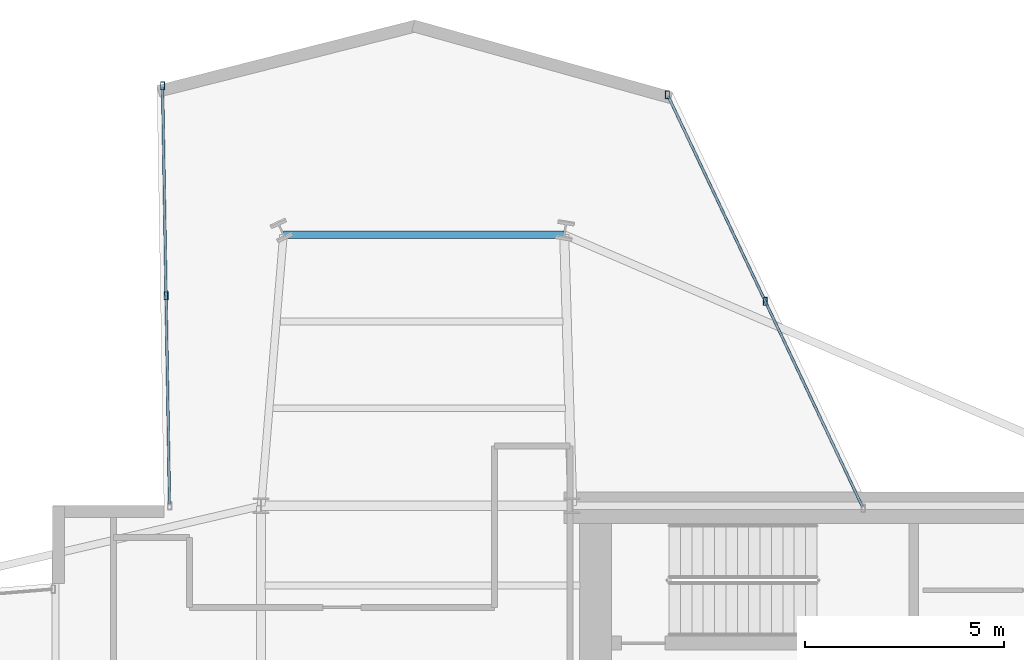
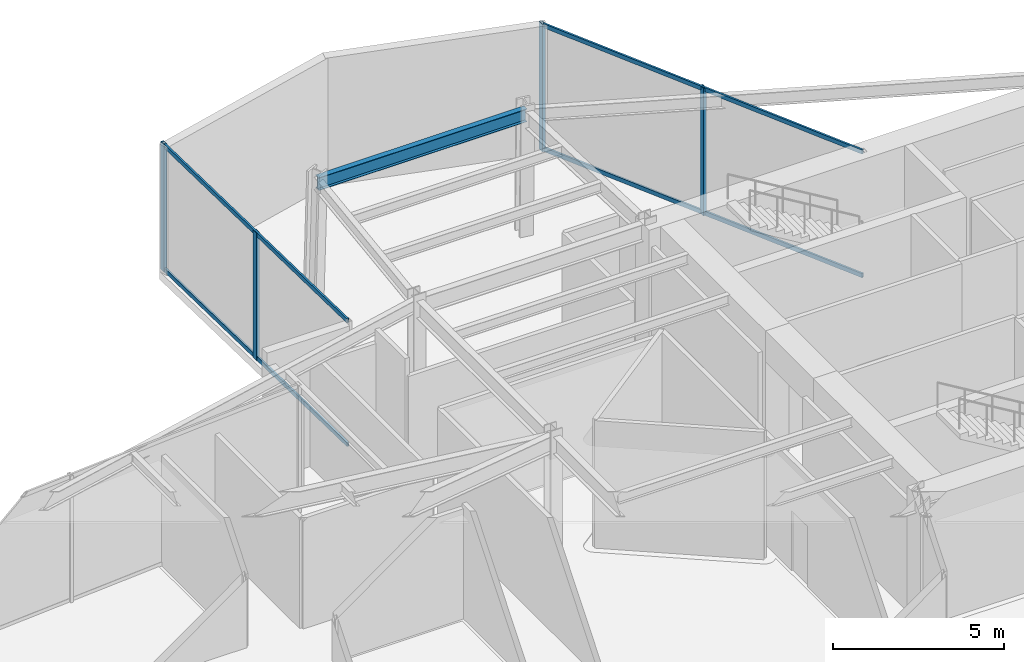
# One storey, part 8 of 13: 8 members, 1 beam, 2 elements without a shape of their own.
"""IFC4 building model written with IfcOpenShell, lengths in metres."""

import ifcopenshell
import ifcopenshell.guid

model = None  # the IFC model being written
_history = None  # IfcOwnerHistory: only IFC2X3 demands one
_inside = {}  # id of a spatial element -> (the spatial element, [elements in it])
_under = {}  # id of a project, library or spatial element -> (it, [spatial elements below it])
_declared = {}  # id of a project -> (the project, [libraries it declares])
_typed = {}  # id of a type object -> (the type object, [elements of that type])
_made_of = {}  # id of a material, layer set ... -> (it, [elements and type objects made of it])


def new_model(schema):
    """Start an empty IFC model of exactly this schema.

    Asked for "IFC4X3", IfcOpenShell would pick the latest addendum, in which some entities
    have other attributes; the version numbers below select the first issue.
    IFC2X3 requires an IfcOwnerHistory on every rooted entity: one is made here for all.
    """
    global model, _history
    if schema == "IFC4X3":
        model = ifcopenshell.file(schema_version=(4, 3, 0, 0))
    else:
        model = ifcopenshell.file(schema=schema)
    _inside.clear()
    _under.clear()
    _declared.clear()
    _typed.clear()
    _made_of.clear()
    _history = None
    if model.schema == "IFC2X3":
        org = make("IfcOrganization", Name="unknown")
        user = make(
            "IfcPersonAndOrganization",
            ThePerson=make("IfcPerson", FamilyName="unknown"),
            TheOrganization=org,
        )
        app = make(
            "IfcApplication",
            ApplicationDeveloper=org,
            Version="unknown",
            ApplicationFullName="unknown",
            ApplicationIdentifier="unknown",
        )
        _history = make(
            "IfcOwnerHistory",
            OwningUser=user,
            OwningApplication=app,
            ChangeAction="ADDED",
            CreationDate=0,
        )
    return model


def make(cls, **values):
    """One entity of the class cls with the attributes given. An attribute that is None is left unset."""
    return model.create_entity(
        cls, **{name: value for name, value in values.items() if value is not None}
    )


def rooted(cls, **values):
    """An entity with a GlobalId (a new one), such as an element, a storey or a relation."""
    return make(cls, GlobalId=ifcopenshell.guid.new(), OwnerHistory=_history, **values)


def si_unit(unit_type, name, prefix=None):
    """IfcSIUnit, for example si_unit("LENGTHUNIT", "METRE", prefix="MILLI")."""
    return make("IfcSIUnit", UnitType=unit_type, Prefix=prefix, Name=name)


def assignment(units):
    """IfcUnitAssignment: the units of a project."""
    return None if units is None else make("IfcUnitAssignment", Units=units)


def point(xyz):
    """IfcCartesianPoint."""
    return None if xyz is None else make("IfcCartesianPoint", Coordinates=xyz)


def direction(xyz):
    """IfcDirection."""
    return None if xyz is None else make("IfcDirection", DirectionRatios=xyz)


def frame(location, z_axis=None, x_axis=None):
    """IfcAxis2Placement3D, a coordinate frame: its origin and axes. An axis left out is left unset."""
    return make(
        "IfcAxis2Placement3D",
        Location=point(location),
        Axis=direction(z_axis),
        RefDirection=direction(x_axis),
    )


def frame_2d(location, x_axis=None):
    """IfcAxis2Placement2D, a coordinate frame in the plane: its origin and x axis."""
    return make(
        "IfcAxis2Placement2D", Location=point(location), RefDirection=direction(x_axis)
    )


def origin():
    """The frame at (0, 0, 0) with its axes left unset."""
    return frame((0.0, 0.0, 0.0))


def origin_2d():
    """The frame at (0, 0) in the plane with its x axis left unset."""
    return frame_2d((0.0, 0.0))


def place(relative_to, where):
    """IfcLocalPlacement: puts the frame where relative to a parent placement (None: the world)."""
    return make(
        "IfcLocalPlacement", PlacementRelTo=relative_to, RelativePlacement=where
    )


def context(
    kind, dimensions, precision=None, world=None, true_north=None, identifier=None
):
    """IfcGeometricRepresentationContext, for example the 3D "Model" context."""
    return make(
        "IfcGeometricRepresentationContext",
        ContextIdentifier=identifier,
        ContextType=kind,
        CoordinateSpaceDimension=dimensions,
        Precision=precision,
        WorldCoordinateSystem=world,
        TrueNorth=true_north,
    )


def subcontext(parent, identifier, kind, view, scale=None):
    """IfcGeometricRepresentationSubContext, for example "Body" below "Model"."""
    return make(
        "IfcGeometricRepresentationSubContext",
        ContextIdentifier=identifier,
        ContextType=kind,
        ParentContext=parent,
        TargetScale=scale,
        TargetView=view,
    )


def project(units=None, contexts=None):
    """IfcProject with its units and contexts."""
    return rooted(
        "IfcProject",
        Name="project",
        RepresentationContexts=contexts,
        UnitsInContext=assignment(units),
    )


def spatial(cls, under=None, at=None, **own):
    """A site, building, storey or space (cls), placed at a placement, below another one or the project."""
    s = rooted(cls, ObjectPlacement=at, **own)
    if under is not None:
        _under.setdefault(under.id(), (under, []))[1].append(s)
    return s


def profile(cls, at=None, kind="AREA", **sizes):
    """A parametric profile (cls). Its sizes go by their IFC names, for example OverallWidth=200.0."""
    return make(cls, ProfileType=kind, Position=at, **sizes)


def hollow_rectangle(**sizes):
    """IfcRectangleHollowProfileDef."""
    return profile("IfcRectangleHollowProfileDef", **sizes)


def i_section(**sizes):
    """IfcIShapeProfileDef."""
    return profile("IfcIShapeProfileDef", **sizes)


def extrude(swept, where, along, depth):
    """IfcExtrudedAreaSolid: the profile swept, set in the frame where, extruded along a direction by depth."""
    return make(
        "IfcExtrudedAreaSolid",
        SweptArea=swept,
        Position=where,
        ExtrudedDirection=direction(along),
        Depth=depth,
    )


def shape(context_of_items, identifier, shape_type, items):
    """IfcShapeRepresentation: the items that make up one representation, for example the "Body"."""
    return make(
        "IfcShapeRepresentation",
        ContextOfItems=context_of_items,
        RepresentationIdentifier=identifier,
        RepresentationType=shape_type,
        Items=items,
    )


def material(Name=None, Category=None):
    """IfcMaterial."""
    return make("IfcMaterial", Name=Name, Category=Category)


def layer(
    of_material, thickness, ventilated=None, Name=None, Category=None, Priority=None
):
    """IfcMaterialLayer: one layer of a wall or slab, of a material (None: an air gap)."""
    return make(
        "IfcMaterialLayer",
        Material=of_material,
        LayerThickness=thickness,
        IsVentilated=ventilated,
        Name=Name,
        Category=Category,
        Priority=Priority,
    )


def layer_set(layers, Name=None):
    """IfcMaterialLayerSet."""
    return make("IfcMaterialLayerSet", MaterialLayers=layers, LayerSetName=Name)


def material_profile(
    of_material, cross_section, Name=None, Category=None, Priority=None
):
    """IfcMaterialProfile: a cross section and its material."""
    return make(
        "IfcMaterialProfile",
        Name=Name,
        Material=of_material,
        Profile=cross_section,
        Priority=Priority,
        Category=Category,
    )


def profile_set(profiles, Name=None, composite=None):
    """IfcMaterialProfileSet."""
    return make(
        "IfcMaterialProfileSet",
        Name=Name,
        MaterialProfiles=profiles,
        CompositeProfile=composite,
    )


def made_of(thing, what):
    """Note that an element or type object is made of a material, layer set ...; save() writes the relation."""
    if what is not None:
        _made_of.setdefault(what.id(), (what, []))[1].append(thing)
    return thing


def type_object(cls, material=None, **own):
    """A type object (cls), such as IfcWallType, which elements share."""
    return made_of(rooted(cls, **own), material)


def element(
    cls,
    number,
    at=None,
    inside=None,
    cuts=None,
    type_object=None,
    material=None,
    context=None,
    identifier="Body",
    shape_type=None,
    held_by="IfcProductDefinitionShape",
    body=None,
    shapes=None,
    **own,
):
    """One element of the class cls, such as IfcWall. Its Tag is "e" and its number.

    at: its placement. inside: the storey or other place that contains it. cuts: it is an
    opening in that element (IfcRelVoidsElement). A single representation is given by context,
    identifier, shape_type and body (its items); several are given by shapes. held_by: the class
    of the entity that holds the representations. save() writes the other relations.
    """
    e = rooted(cls, Tag="e%d" % number, ObjectPlacement=at, **own)
    if body is not None:
        shapes = [shape(context, identifier, shape_type, body)]
    if shapes is not None:
        e.Representation = make(held_by, Representations=shapes)
    if inside is not None:
        _inside.setdefault(inside.id(), (inside, []))[1].append(e)
    if cuts is not None:
        rooted(
            "IfcRelVoidsElement", RelatingBuildingElement=cuts, RelatedOpeningElement=e
        )
    if type_object is not None:
        _typed.setdefault(type_object.id(), (type_object, []))[1].append(e)
    return made_of(e, material)


def aggregate(whole, parts):
    """IfcRelAggregates: a whole, such as a stair, and the parts it consists of."""
    return rooted("IfcRelAggregates", RelatingObject=whole, RelatedObjects=parts)


def save(model, path):
    """Write the relations noted so far, then the file.

    IfcRelAggregates (storeys below a building ...), IfcRelContainedInSpatialStructure (elements
    in a storey), IfcRelDefinesByType, IfcRelAssociatesMaterial and IfcRelDeclares: one each for
    every whole, place, type object, material and project.
    """
    for whole, parts in _under.values():
        aggregate(whole, parts)
    for where, things in _inside.values():
        rooted(
            "IfcRelContainedInSpatialStructure",
            RelatedElements=things,
            RelatingStructure=where,
        )
    for kind, things in _typed.values():
        rooted("IfcRelDefinesByType", RelatedObjects=things, RelatingType=kind)
    for what, things in _made_of.values():
        rooted("IfcRelAssociatesMaterial", RelatedObjects=things, RelatingMaterial=what)
    for by, libraries in _declared.values():
        rooted("IfcRelDeclares", RelatingContext=by, RelatedDefinitions=libraries)
    model.write(path)


model = new_model("IFC4")

# Units and contexts
model_context = context("Model", 3, precision=1e-05, world=origin(), true_north=direction((0.0, 1.0)))
body_context = subcontext(model_context, "Body", "Model", "MODEL_VIEW")
ifc_project = project(units=[si_unit("LENGTHUNIT", "METRE"), si_unit("AREAUNIT", "SQUARE_METRE"), si_unit("VOLUMEUNIT", "CUBIC_METRE"), si_unit("PLANEANGLEUNIT", "RADIAN"), si_unit("MASSUNIT", "GRAM", prefix="KILO")], contexts=[model_context])

# Site, building, storey
site_placement = place(None, origin())
site = spatial("IfcSite", under=ifc_project, at=site_placement, CompositionType="ELEMENT")
building_placement = place(site_placement, origin())
building = spatial("IfcBuilding", under=site, at=building_placement, Name="Veymaron Broadcast Tower", CompositionType="ELEMENT")
storey_placement = place(building_placement, frame((0.0, 0.0, 112.050048828125)))
storey = spatial("IfcBuildingStorey", under=building, at=storey_placement, Name="L25", CompositionType="ELEMENT", Elevation=112.050048828125)

# Beam
ifc_material_1 = material(Name="Structural steel ASTM A992 Gr 50", Category="steel")
ifc_material_profile_1 = material_profile(ifc_material_1, i_section(OverallWidth=0.19091796875, OverallDepth=0.4599609375, WebThickness=0.010009765625, FlangeThickness=0.01611328125, at=origin_2d()), Name="W460X82")
ifc_profile_set_1 = profile_set([ifc_material_profile_1], Name="Structural steel ASTM A992 Gr 50")
beam_type = type_object("IfcBeamType", Name="BM-SP1", PredefinedType="SPANDREL", material=ifc_profile_set_1)
beam_placement = place(storey_placement, frame((31.760009765625, 38.800048828125, 4.329833984375), z_axis=(1.0, 0.0, 0.0), x_axis=(0.0, 1.0, 0.0)))
element("IfcBeam", 1, at=beam_placement, inside=storey, type_object=beam_type, Name="L25 primary structural floor girder", PredefinedType="SPANDREL", context=body_context, shape_type="SweptSolid", body=[
    extrude(i_section(OverallWidth=0.19091796875, OverallDepth=0.4599609375, WebThickness=0.010009765625, FlangeThickness=0.01611328125, at=origin_2d()), origin(), (0.0, 0.0, 1.0), 7.0400390625),
])

# Curtain wall, members
ifc_material_2 = material(Name="Anodised aluminium AA 6063-T6 and laminated low-E dark glass", Category="aluminium")
ifc_layer = layer(ifc_material_2, 0.179931640625)
ifc_layer_set = layer_set([ifc_layer], Name="Anodised aluminium AA 6063-T6 and laminated low-E dark glass")
curtain_wall_type = type_object("IfcCurtainWallType", Name="CW-SYS-04", PredefinedType="NOTDEFINED", material=ifc_layer_set)
curtain_wall_1_placement = place(storey_placement, origin())
curtain_wall_1 = element("IfcCurtainWall", 2, at=curtain_wall_1_placement, inside=storey, type_object=curtain_wall_type, Name="L25 dark-glass curtain wall CW-L25-E5-1", PredefinedType="NOTDEFINED")
ifc_material_3 = material(Name="Anodised aluminium AA 6063-T6", Category="aluminium")
ifc_material_profile_2 = material_profile(ifc_material_3, hollow_rectangle(XDim=0.10009765625, YDim=0.199951171875, WallThickness=0.010009765625, at=origin_2d()), Name="RHS200X100X10")
ifc_profile_set_2 = profile_set([ifc_material_profile_2], Name="Anodised aluminium AA 6063-T6")
member_type_1 = type_object("IfcMemberType", Name="CW-MUL-01", PredefinedType="MULLION", material=ifc_profile_set_2)
member_1_placement = place(storey_placement, frame((43.84228515625, 37.1240234375, 0.0), z_axis=(0.0, 0.0, 1.0), x_axis=(1.0, 0.0, 0.0)))
member_1 = element("IfcMember", 3, at=member_1_placement, type_object=member_type_1, Name="CW-L25-E5-1 mullion 1", PredefinedType="MULLION", context=body_context, shape_type="SweptSolid", body=[
    extrude(hollow_rectangle(XDim=0.10009765625, YDim=0.199951171875, WallThickness=0.010009765625, at=origin_2d()), origin(), (0.0, 0.0, 1.0), 4.56005859375),
])
member_2_placement = place(storey_placement, frame((41.389404296875, 42.30810546875, 0.0), z_axis=(0.0, 0.0, 1.0), x_axis=(1.0, 0.0, 0.0)))
member_2 = element("IfcMember", 4, at=member_2_placement, type_object=member_type_1, Name="CW-L25-E5-1 mullion 2", PredefinedType="MULLION", context=body_context, shape_type="SweptSolid", body=[
    extrude(hollow_rectangle(XDim=0.10009765625, YDim=0.199951171875, WallThickness=0.010009765625, at=origin_2d()), origin(), (0.0, 0.0, 1.0), 4.56005859375),
])

curtain_wall_2_placement = place(storey_placement, origin())
curtain_wall_2 = element("IfcCurtainWall", 5, at=curtain_wall_2_placement, inside=storey, type_object=curtain_wall_type, Name="L25 dark-glass curtain wall CW-L25-E8-1", PredefinedType="NOTDEFINED")
member_3_placement = place(storey_placement, frame((28.72802734375, 42.5341796875, 0.0), z_axis=(0.0, 0.0, 1.0), x_axis=(1.0, 0.0, 0.0)))
member_3 = element("IfcMember", 6, at=member_3_placement, type_object=member_type_1, Name="CW-L25-E8-1 mullion 0", PredefinedType="MULLION", context=body_context, shape_type="SweptSolid", body=[
    extrude(hollow_rectangle(XDim=0.10009765625, YDim=0.199951171875, WallThickness=0.010009765625, at=origin_2d()), origin(), (0.0, 0.0, 1.0), 4.56005859375),
])
member_4_placement = place(storey_placement, frame((28.8154296875, 37.268310546875, 0.0), z_axis=(0.0, 0.0, 1.0), x_axis=(1.0, 0.0, 0.0)))
member_4 = element("IfcMember", 7, at=member_4_placement, type_object=member_type_1, Name="CW-L25-E8-1 mullion 1", PredefinedType="MULLION", context=body_context, shape_type="SweptSolid", body=[
    extrude(hollow_rectangle(XDim=0.10009765625, YDim=0.199951171875, WallThickness=0.010009765625, at=origin_2d()), origin(), (0.0, 0.0, 1.0), 4.56005859375),
])

# Member
ifc_material_profile_3 = material_profile(ifc_material_3, hollow_rectangle(XDim=0.06494140625, YDim=0.14990234375, WallThickness=0.00390625, at=origin_2d()), Name="AL150X65X4")
ifc_profile_set_3 = profile_set([ifc_material_profile_3], Name="Anodised aluminium AA 6063-T6")
member_type_2 = type_object("IfcMemberType", Name="CW-TRN-01", PredefinedType="USERDEFINED", material=ifc_profile_set_3)
member_5_placement = place(storey_placement, frame((46.2734375, 31.9853515625, 0.070068359375), z_axis=(-0.427670934755, 0.903934495174, 0.0), x_axis=(-0.903934495174, -0.427670934755, 0.0)))
member_5 = element("IfcMember", 8, at=member_5_placement, type_object=member_type_2, Name="CW-L25-E5-1 transom B", ObjectType="TRANSOM", PredefinedType="USERDEFINED", context=body_context, shape_type="SweptSolid", body=[
    extrude(hollow_rectangle(XDim=0.06494140625, YDim=0.14990234375, WallThickness=0.00390625, at=origin_2d()), origin(), (0.0, 0.0, 1.0), 11.369873046875),
])

member_6_placement = place(storey_placement, frame((46.2734375, 31.9853515625, 4.489990234375), z_axis=(-0.427670934755, 0.903934495174, 0.0), x_axis=(-0.903934495174, -0.427670934755, 0.0)))
member_6 = element("IfcMember", 9, at=member_6_placement, type_object=member_type_2, Name="CW-L25-E5-1 transom T", ObjectType="TRANSOM", PredefinedType="USERDEFINED", context=body_context, shape_type="SweptSolid", body=[
    extrude(hollow_rectangle(XDim=0.06494140625, YDim=0.14990234375, WallThickness=0.00390625, at=origin_2d()), origin(), (0.0, 0.0, 1.0), 11.369873046875),
])

aggregate(curtain_wall_1, [member_1, member_2, member_5, member_6])

member_7_placement = place(storey_placement, frame((28.728759765625, 42.484375, 0.070068359375), z_axis=(0.01659027432, -0.999862371928, 0.0), x_axis=(0.999862371928, 0.01659027432, 0.0)))
member_7 = element("IfcMember", 10, at=member_7_placement, type_object=member_type_2, Name="CW-L25-E8-1 transom B", ObjectType="TRANSOM", PredefinedType="USERDEFINED", context=body_context, shape_type="SweptSolid", body=[
    extrude(hollow_rectangle(XDim=0.06494140625, YDim=0.14990234375, WallThickness=0.00390625, at=origin_2d()), origin(), (0.0, 0.0, 1.0), 10.43359375),
])

member_8_placement = place(storey_placement, frame((28.728759765625, 42.484375, 4.489990234375), z_axis=(0.01659027432, -0.999862371928, 0.0), x_axis=(0.999862371928, 0.01659027432, 0.0)))
member_8 = element("IfcMember", 11, at=member_8_placement, type_object=member_type_2, Name="CW-L25-E8-1 transom T", ObjectType="TRANSOM", PredefinedType="USERDEFINED", context=body_context, shape_type="SweptSolid", body=[
    extrude(hollow_rectangle(XDim=0.06494140625, YDim=0.14990234375, WallThickness=0.00390625, at=origin_2d()), origin(), (0.0, 0.0, 1.0), 10.43359375),
])

aggregate(curtain_wall_2, [member_3, member_4, member_7, member_8])

save(model, "model.ifc")
